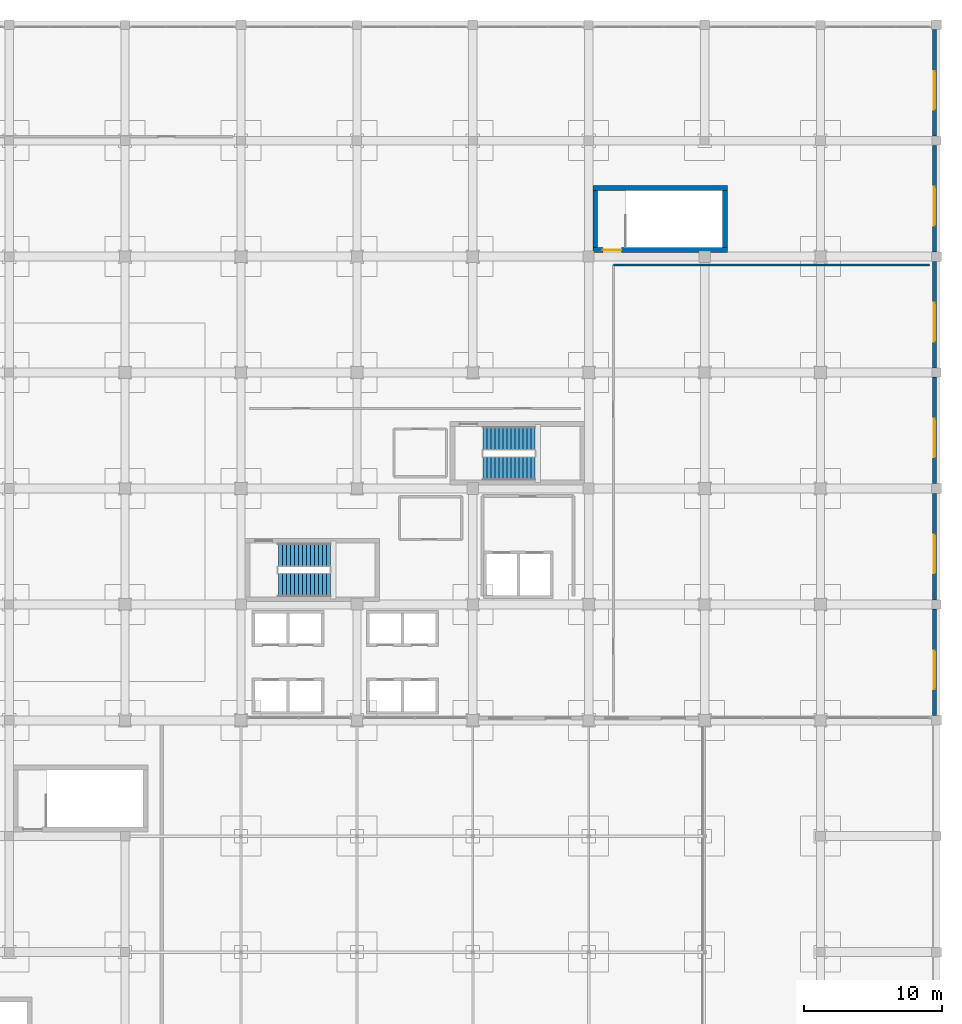
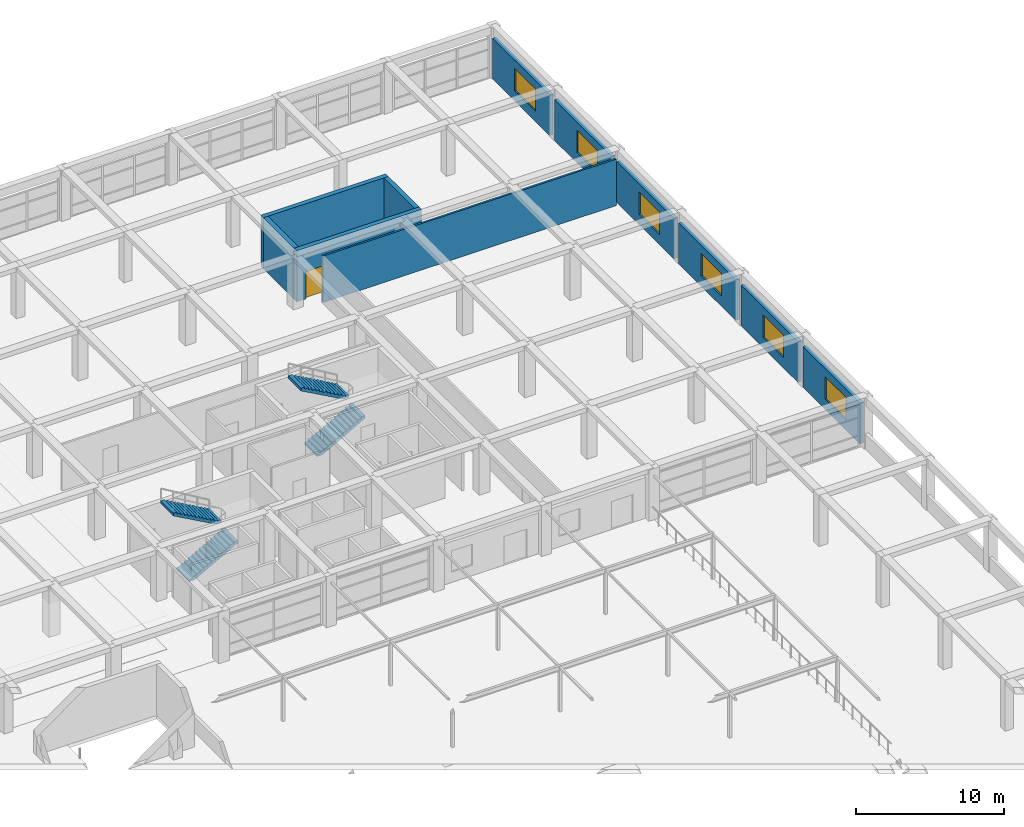
# One storey, part 80 of 85: 11 walls, 6 windows, 4 stair flights, 1 door, 7 openings, 2 elements without a shape of their own.
"""IFC4 building model written with IfcOpenShell, lengths in metres."""

from ifc_helpers import new_model, si_unit, direction, frame, frame_2d, origin, place, context, subcontext, project, spatial, polyline, rectangle, outline, extrude, material, layer, layer_set, type_object, element, fill, aggregate, save


model = new_model("IFC4")

# Units and contexts
model_context = context("Model", 3, precision=1e-05, world=origin(), true_north=direction((0.0, 1.0)))
body_context = subcontext(model_context, "Body", "Model", "MODEL_VIEW")
ifc_project = project(units=[si_unit("LENGTHUNIT", "METRE"), si_unit("AREAUNIT", "SQUARE_METRE"), si_unit("VOLUMEUNIT", "CUBIC_METRE"), si_unit("PLANEANGLEUNIT", "RADIAN"), si_unit("MASSUNIT", "GRAM", prefix="KILO")], contexts=[model_context])

# Site, building, storey
site_placement = place(None, origin())
site = spatial("IfcSite", under=ifc_project, at=site_placement, CompositionType="ELEMENT")
building_placement = place(site_placement, origin())
building = spatial("IfcBuilding", under=site, at=building_placement, Name="Almacenes y Pasaje Nevantli", CompositionType="ELEMENT")
storey_placement = place(building_placement, frame((0.0, 0.0, 22.199951171875)))
storey = spatial("IfcBuildingStorey", under=building, at=storey_placement, Name="L05", CompositionType="ELEMENT", Elevation=22.199951171875)

# Wall, opening, door
ifc_material_1 = material(Name="Concrete C45/55", Category="concrete")
ifc_layer_1 = layer(ifc_material_1, 0.35009765625)
ifc_layer_set_1 = layer_set([ifc_layer_1], Name="Concrete C45/55")
wall_type_1 = type_object("IfcWallType", Name="WL-CORE-350", PredefinedType="SHEAR", material=ifc_layer_set_1)
wall_1_placement = place(storey_placement, frame((143.10009765625, 101.27490234375, 0.0), z_axis=(0.0, 0.0, 1.0), x_axis=(1.0, 0.0, 0.0)))
wall_1 = element("IfcWall", 1, at=wall_1_placement, inside=storey, type_object=wall_type_1, Name="L05 Exit Stair ST-07 South Core Shear Wall", PredefinedType="SHEAR", context=body_context, shape_type="SweptSolid", body=[
    extrude(rectangle(XDim=9.75, YDim=0.35009765625, at=frame_2d((4.875, 0.0))), origin(), (0.0, 0.0, 1.0), 4.219970703125),
])
opening_1_placement = place(wall_1_placement, frame((0.719970703125, 0.0, 0.0)))
opening_1 = element("IfcOpeningElement", 2, at=opening_1_placement, cuts=wall_1, Name="Opening SD-07-L05", PredefinedType="OPENING", context=body_context, shape_type="SweptSolid", body=[
    extrude(rectangle(XDim=1.35009765625, YDim=2.25, at=frame_2d((0.675048828125, 1.125))), frame((0.0, 0.18505859375, 0.0), z_axis=(0.0, -1.0, 0.0), x_axis=(1.0, 0.0, 0.0)), (0.0, 0.0, 1.0), 0.3701171875),
])
ifc_material_2 = material(Name="Galvanized Fire-Rated Steel", Category="steel")
door_type = type_object("IfcDoorType", Name="DR-STAIR-1350", OperationType="SINGLE_SWING_LEFT", PredefinedType="DOOR", material=ifc_material_2)
door_placement = place(opening_1_placement, origin())
door = element("IfcDoor", 3, at=door_placement, inside=storey, type_object=door_type, Name="L05 Smokeproof Exit Stair ST-07 Fire Door", OperationType="SINGLE_SWING_LEFT", OverallHeight=2.25, OverallWidth=1.35009765625, PredefinedType="DOOR", context=body_context, shape_type="SweptSolid", body=[
    extrude(rectangle(XDim=1.35009765625, YDim=2.25, at=frame_2d((0.675048828125, 1.125))), frame((0.0, 0.02490234375, 0.0), z_axis=(0.0, -1.0, 0.0), x_axis=(1.0, 0.0, 0.0)), (0.0, 0.0, 1.0), 0.050048828125),
])
fill(opening_1, door)

# Walls
wall_2_placement = place(storey_placement, frame((143.10009765625, 105.77490234375, 0.0), z_axis=(0.0, 0.0, 1.0), x_axis=(1.0, 0.0, 0.0)))
element("IfcWall", 4, at=wall_2_placement, inside=storey, type_object=wall_type_1, Name="L05 Exit Stair ST-07 North Core Shear Wall", PredefinedType="SHEAR", context=body_context, shape_type="SweptSolid", body=[
    extrude(rectangle(XDim=9.75, YDim=0.35009765625, at=frame_2d((4.875, 0.0))), origin(), (0.0, 0.0, 1.0), 4.219970703125),
])
for number, where, z_axis, x_axis, name in (
    (5, (143.27490234375, 101.449951171875, 0.0), (0.0, 0.0, 1.0), (0.0, 1.0, 0.0), "L05 Exit Stair ST-07 West Core Shear Wall"),
    (6, (152.675048828125, 101.449951171875, 0.0), (0.0, 0.0, 1.0), (0.0, 1.0, 0.0), "L05 Exit Stair ST-07 East Core Shear Wall"),
):
    element("IfcWall", number, at=place(storey_placement, frame(where, z_axis=z_axis, x_axis=x_axis)), inside=storey, type_object=wall_type_1, Name=name, PredefinedType="SHEAR", context=body_context, shape_type="SweptSolid", body=[
        extrude(rectangle(XDim=4.150146484375, YDim=0.35009765625, at=frame_2d((2.0751953125, 0.0))), origin(), (0.0, 0.0, 1.0), 4.219970703125),
    ])

# Wall, opening, window
ifc_material_3 = material(Name="Architectural Precast Concrete C35/45 Spandrel Wall", Category="concrete")
ifc_layer_2 = layer(ifc_material_3, 0.280029296875)
ifc_layer_set_2 = layer_set([ifc_layer_2], Name="Architectural Precast Concrete C35/45 Spandrel Wall")
wall_type_2 = type_object("IfcWallType", Name="WL-EXT-CANTERA-280", PredefinedType="SOLIDWALL", material=ifc_layer_set_2)
wall_3_placement = place(storey_placement, frame((167.85009765625, 67.552001953125, 0.0), z_axis=(0.0, 0.0, 1.0), x_axis=(0.0, 1.0, 0.0)))
wall_3 = element("IfcWall", 7, at=wall_3_placement, inside=storey, type_object=wall_type_2, Name="L05 Sky-Lobby East Cantera Wall Bay 9", PredefinedType="SOLIDWALL", context=body_context, shape_type="SweptSolid", body=[
    extrude(rectangle(XDim=7.719970703125, YDim=0.280029296875, at=frame_2d((3.85986328125, 0.0))), origin(), (0.0, 0.0, 1.0), 3.3701171875),
])
opening_2_placement = place(wall_3_placement, frame((1.89794921875, 0.0, 0.85009765625)))
opening_2 = element("IfcOpeningElement", 8, at=opening_2_placement, cuts=wall_3, Name="Opening WT-29-185", PredefinedType="OPENING", context=body_context, shape_type="SweptSolid", body=[
    extrude(rectangle(XDim=2.800048828125, YDim=1.85009765625, at=frame_2d((1.39990234375, 0.925048828125))), frame((0.0, 0.14990234375, 0.0), z_axis=(0.0, -1.0, 0.0), x_axis=(1.0, 0.0, 0.0)), (0.0, 0.0, 1.0), 0.300048828125),
])
ifc_material_4 = material(Name="Thermally Broken Aluminium and Low-E Double Glazing", Category="aluminium")
window_type = type_object("IfcWindowType", Name="WN-TWR-2800x1850", PartitioningType="SINGLE_PANEL", PredefinedType="WINDOW", material=ifc_material_4)
window_1_placement = place(opening_2_placement, origin())
window_1 = element("IfcWindow", 9, at=window_1_placement, inside=storey, type_object=window_type, Name="L05 Exterior Window WT-29 #185", OverallHeight=1.85009765625, OverallWidth=2.800048828125, PartitioningType="SINGLE_PANEL", PredefinedType="WINDOW", context=body_context, shape_type="SweptSolid", body=[
    extrude(rectangle(XDim=2.800048828125, YDim=1.85009765625, at=frame_2d((1.39990234375, 0.925048828125))), frame((0.0, 0.030029296875, 0.0), z_axis=(0.0, -1.0, 0.0), x_axis=(1.0, 0.0, 0.0)), (0.0, 0.0, 1.0), 0.06005859375),
])
fill(opening_2, window_1)

wall_4_placement = place(storey_placement, frame((167.85009765625, 75.927978515625, 0.0), z_axis=(0.0, 0.0, 1.0), x_axis=(0.0, 1.0, 0.0)))
wall_4 = element("IfcWall", 10, at=wall_4_placement, inside=storey, type_object=wall_type_2, Name="L05 Sky-Lobby East Cantera Wall Bay 10", PredefinedType="SOLIDWALL", context=body_context, shape_type="SweptSolid", body=[
    extrude(rectangle(XDim=7.719970703125, YDim=0.280029296875, at=frame_2d((3.85986328125, 0.0))), origin(), (0.0, 0.0, 1.0), 3.3701171875),
])
opening_3_placement = place(wall_4_placement, frame((1.922119140625, 0.0, 0.85009765625)))
opening_3 = element("IfcOpeningElement", 11, at=opening_3_placement, cuts=wall_4, Name="Opening WT-29-186", PredefinedType="OPENING", context=body_context, shape_type="SweptSolid", body=[
    extrude(rectangle(XDim=2.800048828125, YDim=1.85009765625, at=frame_2d((1.39990234375, 0.925048828125))), frame((0.0, 0.14990234375, 0.0), z_axis=(0.0, -1.0, 0.0), x_axis=(1.0, 0.0, 0.0)), (0.0, 0.0, 1.0), 0.300048828125),
])
window_2_placement = place(opening_3_placement, origin())
window_2 = element("IfcWindow", 12, at=window_2_placement, inside=storey, type_object=window_type, Name="L05 Exterior Window WT-29 #186", OverallHeight=1.85009765625, OverallWidth=2.800048828125, PartitioningType="SINGLE_PANEL", PredefinedType="WINDOW", context=body_context, shape_type="SweptSolid", body=[
    extrude(rectangle(XDim=2.800048828125, YDim=1.85009765625, at=frame_2d((1.39990234375, 0.925048828125))), frame((0.0, 0.030029296875, 0.0), z_axis=(0.0, -1.0, 0.0), x_axis=(1.0, 0.0, 0.0)), (0.0, 0.0, 1.0), 0.06005859375),
])
fill(opening_3, window_2)

wall_5_placement = place(storey_placement, frame((167.85009765625, 84.35205078125, 0.0), z_axis=(0.0, 0.0, 1.0), x_axis=(0.0, 1.0, 0.0)))
wall_5 = element("IfcWall", 13, at=wall_5_placement, inside=storey, type_object=wall_type_2, Name="L05 Sky-Lobby East Cantera Wall Bay 11", PredefinedType="SOLIDWALL", context=body_context, shape_type="SweptSolid", body=[
    extrude(rectangle(XDim=7.719970703125, YDim=0.280029296875, at=frame_2d((3.85986328125, 0.0))), origin(), (0.0, 0.0, 1.0), 3.3701171875),
])
opening_4_placement = place(wall_5_placement, frame((1.89794921875, 0.0, 0.85009765625)))
opening_4 = element("IfcOpeningElement", 14, at=opening_4_placement, cuts=wall_5, Name="Opening WT-29-187", PredefinedType="OPENING", context=body_context, shape_type="SweptSolid", body=[
    extrude(rectangle(XDim=2.800048828125, YDim=1.85009765625, at=frame_2d((1.39990234375, 0.925048828125))), frame((0.0, 0.14990234375, 0.0), z_axis=(0.0, -1.0, 0.0), x_axis=(1.0, 0.0, 0.0)), (0.0, 0.0, 1.0), 0.300048828125),
])
window_3_placement = place(opening_4_placement, origin())
window_3 = element("IfcWindow", 15, at=window_3_placement, inside=storey, type_object=window_type, Name="L05 Exterior Window WT-29 #187", OverallHeight=1.85009765625, OverallWidth=2.800048828125, PartitioningType="SINGLE_PANEL", PredefinedType="WINDOW", context=body_context, shape_type="SweptSolid", body=[
    extrude(rectangle(XDim=2.800048828125, YDim=1.85009765625, at=frame_2d((1.39990234375, 0.925048828125))), frame((0.0, 0.030029296875, 0.0), z_axis=(0.0, -1.0, 0.0), x_axis=(1.0, 0.0, 0.0)), (0.0, 0.0, 1.0), 0.06005859375),
])
fill(opening_4, window_3)

wall_6_placement = place(storey_placement, frame((167.85009765625, 92.72802734375, 0.0), z_axis=(0.0, 0.0, 1.0), x_axis=(0.0, 1.0, 0.0)))
wall_6 = element("IfcWall", 16, at=wall_6_placement, inside=storey, type_object=wall_type_2, Name="L05 Sky-Lobby East Cantera Wall Bay 12", PredefinedType="SOLIDWALL", context=body_context, shape_type="SweptSolid", body=[
    extrude(rectangle(XDim=7.719970703125, YDim=0.280029296875, at=frame_2d((3.85986328125, 0.0))), origin(), (0.0, 0.0, 1.0), 3.3701171875),
])
opening_5_placement = place(wall_6_placement, frame((1.922119140625, 0.0, 0.85009765625)))
opening_5 = element("IfcOpeningElement", 17, at=opening_5_placement, cuts=wall_6, Name="Opening WT-29-188", PredefinedType="OPENING", context=body_context, shape_type="SweptSolid", body=[
    extrude(rectangle(XDim=2.800048828125, YDim=1.85009765625, at=frame_2d((1.39990234375, 0.925048828125))), frame((0.0, 0.14990234375, 0.0), z_axis=(0.0, -1.0, 0.0), x_axis=(1.0, 0.0, 0.0)), (0.0, 0.0, 1.0), 0.300048828125),
])
window_4_placement = place(opening_5_placement, origin())
window_4 = element("IfcWindow", 18, at=window_4_placement, inside=storey, type_object=window_type, Name="L05 Exterior Window WT-29 #188", OverallHeight=1.85009765625, OverallWidth=2.800048828125, PartitioningType="SINGLE_PANEL", PredefinedType="WINDOW", context=body_context, shape_type="SweptSolid", body=[
    extrude(rectangle(XDim=2.800048828125, YDim=1.85009765625, at=frame_2d((1.39990234375, 0.925048828125))), frame((0.0, 0.030029296875, 0.0), z_axis=(0.0, -1.0, 0.0), x_axis=(1.0, 0.0, 0.0)), (0.0, 0.0, 1.0), 0.06005859375),
])
fill(opening_5, window_4)

wall_7_placement = place(storey_placement, frame((167.85009765625, 101.152099609375, 0.0), z_axis=(0.0, 0.0, 1.0), x_axis=(0.0, 1.0, 0.0)))
wall_7 = element("IfcWall", 19, at=wall_7_placement, inside=storey, type_object=wall_type_2, Name="L05 Sky-Lobby East Cantera Wall Bay 13", PredefinedType="SOLIDWALL", context=body_context, shape_type="SweptSolid", body=[
    extrude(rectangle(XDim=7.719970703125, YDim=0.280029296875, at=frame_2d((3.85986328125, 0.0))), origin(), (0.0, 0.0, 1.0), 3.3701171875),
])
opening_6_placement = place(wall_7_placement, frame((1.89794921875, 0.0, 0.85009765625)))
opening_6 = element("IfcOpeningElement", 20, at=opening_6_placement, cuts=wall_7, Name="Opening WT-29-189", PredefinedType="OPENING", context=body_context, shape_type="SweptSolid", body=[
    extrude(rectangle(XDim=2.800048828125, YDim=1.85009765625, at=frame_2d((1.39990234375, 0.925048828125))), frame((0.0, 0.14990234375, 0.0), z_axis=(0.0, -1.0, 0.0), x_axis=(1.0, 0.0, 0.0)), (0.0, 0.0, 1.0), 0.300048828125),
])
window_5_placement = place(opening_6_placement, origin())
window_5 = element("IfcWindow", 21, at=window_5_placement, inside=storey, type_object=window_type, Name="L05 Exterior Window WT-29 #189", OverallHeight=1.85009765625, OverallWidth=2.800048828125, PartitioningType="SINGLE_PANEL", PredefinedType="WINDOW", context=body_context, shape_type="SweptSolid", body=[
    extrude(rectangle(XDim=2.800048828125, YDim=1.85009765625, at=frame_2d((1.39990234375, 0.925048828125))), frame((0.0, 0.030029296875, 0.0), z_axis=(0.0, -1.0, 0.0), x_axis=(1.0, 0.0, 0.0)), (0.0, 0.0, 1.0), 0.06005859375),
])
fill(opening_6, window_5)

wall_8_placement = place(storey_placement, frame((167.85009765625, 109.528076171875, 0.0), z_axis=(0.0, 0.0, 1.0), x_axis=(0.0, 1.0, 0.0)))
wall_8 = element("IfcWall", 22, at=wall_8_placement, inside=storey, type_object=wall_type_2, Name="L05 Sky-Lobby East Cantera Wall Bay 14", PredefinedType="SOLIDWALL", context=body_context, shape_type="SweptSolid", body=[
    extrude(rectangle(XDim=7.718017578125, YDim=0.280029296875, at=frame_2d((3.85888671875, 0.0))), origin(), (0.0, 0.0, 1.0), 3.3701171875),
])
opening_7_placement = place(wall_8_placement, frame((1.922119140625, 0.0, 0.85009765625)))
opening_7 = element("IfcOpeningElement", 23, at=opening_7_placement, cuts=wall_8, Name="Opening WT-29-190", PredefinedType="OPENING", context=body_context, shape_type="SweptSolid", body=[
    extrude(rectangle(XDim=2.800048828125, YDim=1.85009765625, at=frame_2d((1.39990234375, 0.925048828125))), frame((0.0, 0.14990234375, 0.0), z_axis=(0.0, -1.0, 0.0), x_axis=(1.0, 0.0, 0.0)), (0.0, 0.0, 1.0), 0.300048828125),
])
window_6_placement = place(opening_7_placement, origin())
window_6 = element("IfcWindow", 24, at=window_6_placement, inside=storey, type_object=window_type, Name="L05 Exterior Window WT-29 #190", OverallHeight=1.85009765625, OverallWidth=2.800048828125, PartitioningType="SINGLE_PANEL", PredefinedType="WINDOW", context=body_context, shape_type="SweptSolid", body=[
    extrude(rectangle(XDim=2.800048828125, YDim=1.85009765625, at=frame_2d((1.39990234375, 0.925048828125))), frame((0.0, 0.030029296875, 0.0), z_axis=(0.0, -1.0, 0.0), x_axis=(1.0, 0.0, 0.0)), (0.0, 0.0, 1.0), 0.06005859375),
])
fill(opening_7, window_6)

# Wall
ifc_material_5 = material(Name="Acoustic Steel-Stud Gypsum Partition", Category="steel")
ifc_layer_3 = layer(ifc_material_5, 0.14990234375)
ifc_layer_set_3 = layer_set([ifc_layer_3], Name="Acoustic Steel-Stud Gypsum Partition")
wall_type_3 = type_object("IfcWallType", Name="WL-PART-150", PredefinedType="PARTITIONING", material=ifc_layer_set_3)
wall_9_placement = place(storey_placement, frame((144.60009765625, 100.199951171875, 0.0), z_axis=(0.0, 0.0, 1.0), x_axis=(1.0, 0.0, 0.0)))
element("IfcWall", 25, at=wall_9_placement, inside=storey, type_object=wall_type_3, Name="L05 Interior Partition Wall IW-150 #112", PredefinedType="PARTITIONING", context=body_context, shape_type="SweptSolid", body=[
    extrude(rectangle(XDim=22.89990234375, YDim=0.14990234375, at=frame_2d((11.449951171875, 0.0))), origin(), (0.0, 0.0, 1.0), 3.840087890625),
])

# Stair, stair flights
ifc_material_6 = material(Name="Concrete C35/45", Category="concrete")
stair_type = type_object("IfcStairType", Name="STR-CORE-1720", PredefinedType="HALF_TURN_STAIR", material=ifc_material_6)
stair_1_placement = place(storey_placement, origin())
stair_1 = element("IfcStair", 26, at=stair_1_placement, inside=storey, type_object=stair_type, Name="L05 Staircase ST-01", PredefinedType="HALF_TURN_STAIR")
ifc_material_7 = material(Name="Concrete C35/45", Category="concrete")
ifc_layer_4 = layer(ifc_material_7, 0.199951171875)
ifc_layer_set_4 = layer_set([ifc_layer_4], Name="Concrete C35/45")
stair_flight_type = type_object("IfcStairFlightType", Name="SFL-RC-200", PredefinedType="STRAIGHT", material=ifc_layer_set_4)
stair_flight_1_placement = place(storey_placement, frame((120.300048828125, 77.010009765625, 0.0), z_axis=(0.0, 0.0, 1.0), x_axis=(1.0, 0.0, 0.0)))
stair_flight_1 = element("IfcStairFlight", 27, at=stair_flight_1_placement, type_object=stair_flight_type, Name="ST-01-L05 flight 1", NumberOfRisers=14, NumberOfTreads=13, PredefinedType="STRAIGHT", RiserHeight=0.160714, TreadLength=0.29, context=body_context, shape_type="SweptSolid", body=[
    extrude(outline(polyline([(0.0, 0.0), (0.0, 0.16064453125), (0.2900390625, 0.16064453125), (0.2900390625, 0.321533203125), (0.580078125, 0.321533203125), (0.580078125, 0.482177734375), (0.8701171875, 0.482177734375), (0.8701171875, 0.642822265625), (1.159912109375, 0.642822265625), (1.159912109375, 0.803466796875), (1.449951171875, 0.803466796875), (1.449951171875, 0.96435546875), (1.739990234375, 0.96435546875), (1.739990234375, 1.125), (2.030029296875, 1.125), (2.030029296875, 1.28564453125), (2.320068359375, 1.28564453125), (2.320068359375, 1.446533203125), (2.610107421875, 1.446533203125), (2.610107421875, 1.607177734375), (2.89990234375, 1.607177734375), (2.89990234375, 1.767822265625), (3.18994140625, 1.767822265625), (3.18994140625, 1.928466796875), (3.47998046875, 1.928466796875), (3.47998046875, 2.08935546875), (3.77001953125, 2.08935546875), (3.77001953125, 2.25), (3.77001953125, 1.860595703125), (0.41259765625, 0.0), (0.0, 0.0)])), frame((0.0, 0.85986328125, 0.0), z_axis=(0.0, -1.0, 0.0), x_axis=(1.0, 0.0, 0.0)), (0.0, 0.0, 1.0), 1.719970703125),
])
stair_flight_2_placement = place(storey_placement, frame((124.070068359375, 79.179931640625, 2.25), z_axis=(0.0, 0.0, 1.0), x_axis=(-1.0, 0.0, 0.0)))
stair_flight_2 = element("IfcStairFlight", 28, at=stair_flight_2_placement, type_object=stair_flight_type, Name="ST-01-L05 flight 2", NumberOfRisers=14, NumberOfTreads=13, PredefinedType="STRAIGHT", RiserHeight=0.160714, TreadLength=0.29, context=body_context, shape_type="SweptSolid", body=[
    extrude(outline(polyline([(0.0, 0.0), (0.0, 0.16064453125), (0.2900390625, 0.16064453125), (0.2900390625, 0.321533203125), (0.580078125, 0.321533203125), (0.580078125, 0.482177734375), (0.8701171875, 0.482177734375), (0.8701171875, 0.642822265625), (1.159912109375, 0.642822265625), (1.159912109375, 0.803466796875), (1.449951171875, 0.803466796875), (1.449951171875, 0.96435546875), (1.739990234375, 0.96435546875), (1.739990234375, 1.125), (2.030029296875, 1.125), (2.030029296875, 1.28564453125), (2.320068359375, 1.28564453125), (2.320068359375, 1.446533203125), (2.610107421875, 1.446533203125), (2.610107421875, 1.607177734375), (2.89990234375, 1.607177734375), (2.89990234375, 1.767822265625), (3.18994140625, 1.767822265625), (3.18994140625, 1.928466796875), (3.47998046875, 1.928466796875), (3.47998046875, 2.08935546875), (3.77001953125, 2.08935546875), (3.77001953125, 2.25), (3.77001953125, 1.860595703125), (0.41259765625, 0.0), (0.0, 0.0)])), frame((0.0, 0.85986328125, 0.0), z_axis=(0.0, -1.0, 0.0), x_axis=(1.0, 0.0, 0.0)), (0.0, 0.0, 1.0), 1.719970703125),
])
aggregate(stair_1, [stair_flight_1, stair_flight_2])

stair_2_placement = place(storey_placement, origin())
stair_2 = element("IfcStair", 29, at=stair_2_placement, inside=storey, type_object=stair_type, Name="L05 Staircase ST-02", PredefinedType="HALF_TURN_STAIR")
stair_flight_3_placement = place(storey_placement, frame((135.14990234375, 85.4599609375, 0.0), z_axis=(0.0, 0.0, 1.0), x_axis=(1.0, 0.0, 0.0)))
stair_flight_3 = element("IfcStairFlight", 30, at=stair_flight_3_placement, type_object=stair_flight_type, Name="ST-02-L05 flight 1", NumberOfRisers=14, NumberOfTreads=13, PredefinedType="STRAIGHT", RiserHeight=0.160714, TreadLength=0.29, context=body_context, shape_type="SweptSolid", body=[
    extrude(outline(polyline([(0.0, 0.0), (0.0, 0.16064453125), (0.2900390625, 0.16064453125), (0.2900390625, 0.321533203125), (0.580078125, 0.321533203125), (0.580078125, 0.482177734375), (0.8701171875, 0.482177734375), (0.8701171875, 0.642822265625), (1.159912109375, 0.642822265625), (1.159912109375, 0.803466796875), (1.449951171875, 0.803466796875), (1.449951171875, 0.96435546875), (1.739990234375, 0.96435546875), (1.739990234375, 1.125), (2.030029296875, 1.125), (2.030029296875, 1.28564453125), (2.320068359375, 1.28564453125), (2.320068359375, 1.446533203125), (2.610107421875, 1.446533203125), (2.610107421875, 1.607177734375), (2.89990234375, 1.607177734375), (2.89990234375, 1.767822265625), (3.18994140625, 1.767822265625), (3.18994140625, 1.928466796875), (3.47998046875, 1.928466796875), (3.47998046875, 2.08935546875), (3.77001953125, 2.08935546875), (3.77001953125, 2.25), (3.77001953125, 1.860595703125), (0.41259765625, 0.0), (0.0, 0.0)])), frame((0.0, 0.85986328125, 0.0), z_axis=(0.0, -1.0, 0.0), x_axis=(1.0, 0.0, 0.0)), (0.0, 0.0, 1.0), 1.719970703125),
])
stair_flight_4_placement = place(storey_placement, frame((138.919921875, 87.6298828125, 2.25), z_axis=(0.0, 0.0, 1.0), x_axis=(-1.0, 0.0, 0.0)))
stair_flight_4 = element("IfcStairFlight", 31, at=stair_flight_4_placement, type_object=stair_flight_type, Name="ST-02-L05 flight 2", NumberOfRisers=14, NumberOfTreads=13, PredefinedType="STRAIGHT", RiserHeight=0.160714, TreadLength=0.29, context=body_context, shape_type="SweptSolid", body=[
    extrude(outline(polyline([(0.0, 0.0), (0.0, 0.16064453125), (0.2900390625, 0.16064453125), (0.2900390625, 0.321533203125), (0.580078125, 0.321533203125), (0.580078125, 0.482177734375), (0.8701171875, 0.482177734375), (0.8701171875, 0.642822265625), (1.159912109375, 0.642822265625), (1.159912109375, 0.803466796875), (1.449951171875, 0.803466796875), (1.449951171875, 0.96435546875), (1.739990234375, 0.96435546875), (1.739990234375, 1.125), (2.030029296875, 1.125), (2.030029296875, 1.28564453125), (2.320068359375, 1.28564453125), (2.320068359375, 1.446533203125), (2.610107421875, 1.446533203125), (2.610107421875, 1.607177734375), (2.89990234375, 1.607177734375), (2.89990234375, 1.767822265625), (3.18994140625, 1.767822265625), (3.18994140625, 1.928466796875), (3.47998046875, 1.928466796875), (3.47998046875, 2.08935546875), (3.77001953125, 2.08935546875), (3.77001953125, 2.25), (3.77001953125, 1.860595703125), (0.41259765625, 0.0), (0.0, 0.0)])), frame((0.0, 0.85986328125, 0.0), z_axis=(0.0, -1.0, 0.0), x_axis=(1.0, 0.0, 0.0)), (0.0, 0.0, 1.0), 1.719970703125),
])
aggregate(stair_2, [stair_flight_3, stair_flight_4])

save(model, "model.ifc")
